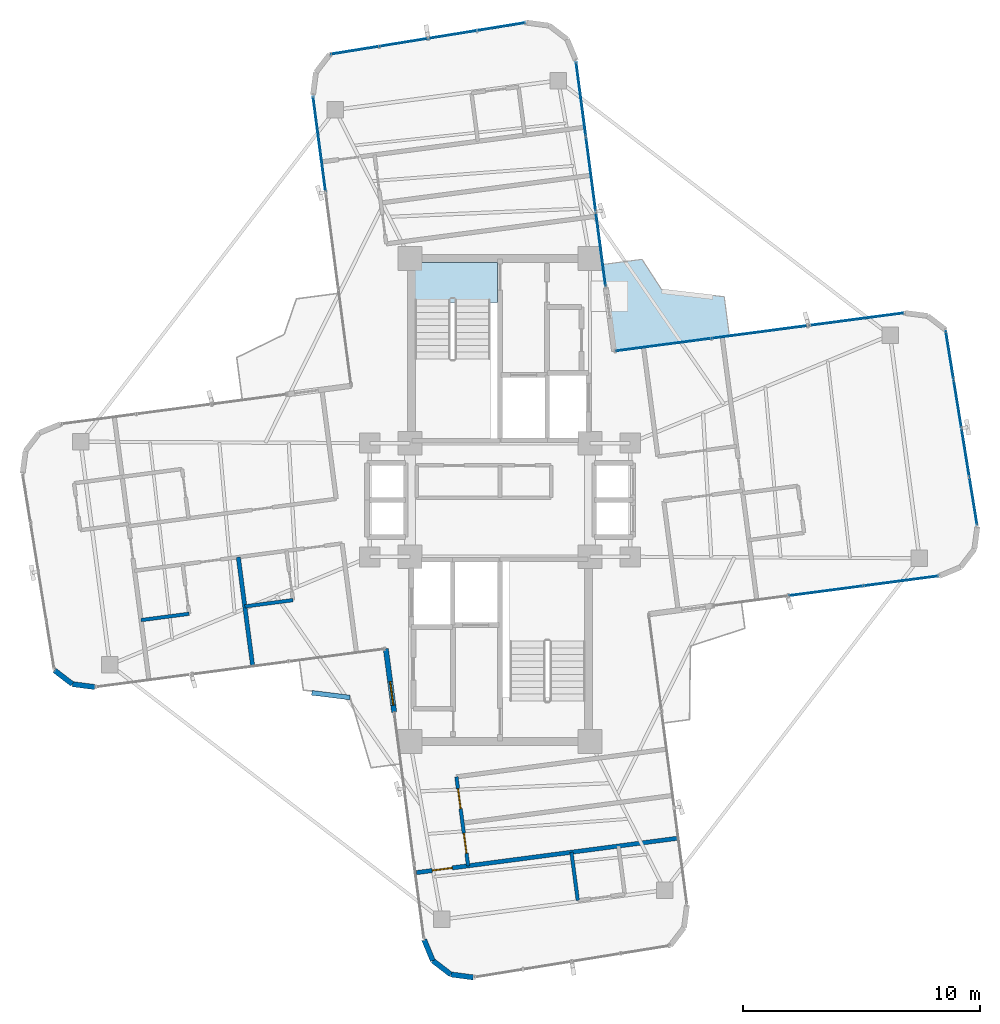
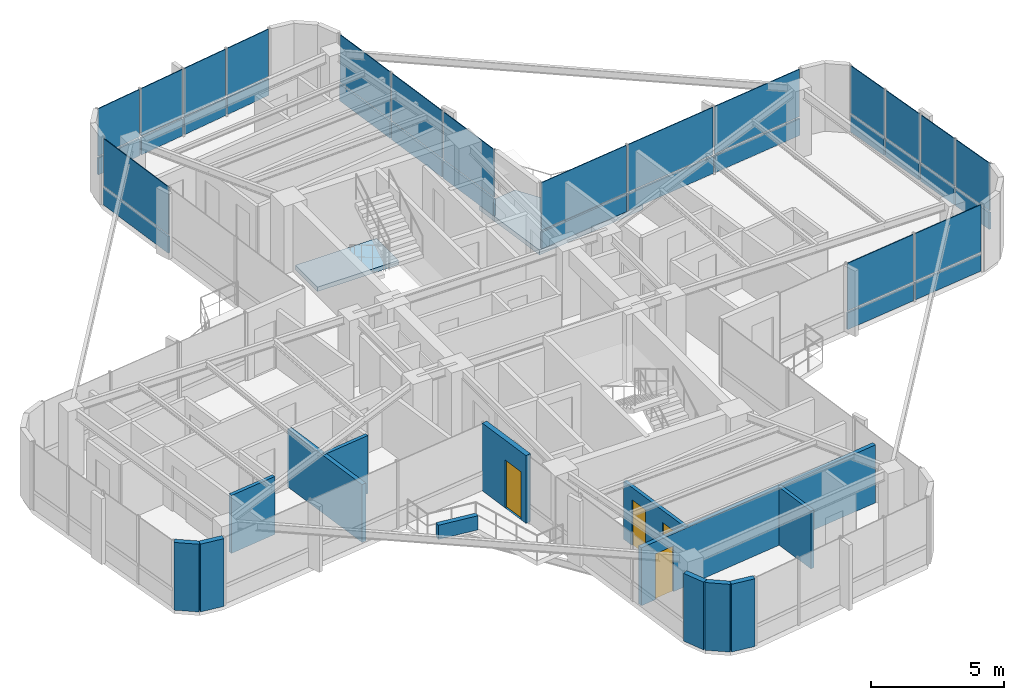
# One storey, part 18 of 22: 34 plates, 13 walls, 4 doors, 2 slabs, 4 openings, 6 elements without a shape of their own.
"""IFC4 building model written with IfcOpenShell, lengths in metres."""

from ifc_helpers import new_model, si_unit, direction, frame, frame_2d, origin, origin_2d, place, context, subcontext, project, spatial, polyline, rectangle, outline, extrude, source, transform, mapped, material, layer, layer_set, type_object, element, fill, aggregate, save


model = new_model("IFC4")

# Units and contexts
model_context = context("Model", 3, precision=1e-05, world=origin(), true_north=direction((0.0, 1.0)))
body_context = subcontext(model_context, "Body", "Model", "MODEL_VIEW")
ifc_project = project(units=[si_unit("LENGTHUNIT", "METRE"), si_unit("AREAUNIT", "SQUARE_METRE"), si_unit("VOLUMEUNIT", "CUBIC_METRE"), si_unit("PLANEANGLEUNIT", "RADIAN"), si_unit("MASSUNIT", "GRAM", prefix="KILO")], contexts=[model_context])

# Site, building, storey
site_placement = place(None, origin())
site = spatial("IfcSite", under=ifc_project, at=site_placement, CompositionType="ELEMENT")
building_placement = place(site_placement, origin())
building = spatial("IfcBuilding", under=site, at=building_placement, Name="Sahyath Konkavel Grand Hotel", CompositionType="ELEMENT")
storey_placement = place(building_placement, frame((0.0, 0.0, 257.89990234375)))
storey = spatial("IfcBuildingStorey", under=building, at=storey_placement, Name="L72", CompositionType="ELEMENT", Elevation=257.89990234375)

# Slabs
ifc_material_1 = material(Name="Concrete C40/50", Category="concrete")
ifc_layer_1 = layer(ifc_material_1, 0.219970703125)
ifc_layer_set_1 = layer_set([ifc_layer_1], Name="Concrete C40/50")
slab_type_1 = type_object("IfcSlabType", Name="SLB-BALCONY-220", PredefinedType="FLOOR", material=ifc_layer_set_1)
slab_1_placement = place(storey_placement, frame((0.0, 0.0, -0.219970703125)))
element("IfcSlab", 1, at=slab_1_placement, inside=storey, type_object=slab_type_1, Name="L72 Winter-Garden Balcony NE", PredefinedType="FLOOR", context=body_context, shape_type="SweptSolid", body=[
    extrude(outline(polyline([(4.821044921875, 6.282958984375), (9.687255859375, 6.923583984375), (9.46875, 8.581787109375), (6.821044921875, 8.889404296875), (5.99755859375, 10.161865234375), (4.339111328125, 9.943603515625), (4.821044921875, 6.282958984375)])), origin(), (0.0, 0.0, 1.0), 0.219970703125),
])
ifc_layer_2 = layer(ifc_material_1, 0.199951171875)
ifc_layer_set_2 = layer_set([ifc_layer_2], Name="Concrete C40/50")
slab_type_2 = type_object("IfcSlabType", Name="SLB-STAIR-LND", PredefinedType="LANDING", material=ifc_layer_set_2)
slab_2_placement = place(storey_placement, frame((0.0, 0.0, -0.199951171875)))
element("IfcSlab", 2, at=slab_2_placement, inside=storey, type_object=slab_type_2, Name="L72 Stair ST-1 Floor Landing Slab", PredefinedType="LANDING", context=body_context, shape_type="SweptSolid", body=[
    extrude(outline(polyline([(-3.6201171875, 8.35009765625), (-0.10009765625, 8.35009765625), (-0.10009765625, 10.02001953125), (-3.6201171875, 10.02001953125), (-3.6201171875, 8.35009765625)])), origin(), (0.0, 0.0, 1.0), 0.199951171875),
])

# Curtain wall, plates
ifc_material_2 = material(Name="Anodised Bronze Aluminium & Low-E Glazing", Category="aluminium")
curtain_wall_type = type_object("IfcCurtainWallType", Name="CW-ZONE4", PredefinedType="NOTDEFINED", material=ifc_material_2)
curtain_wall_1_placement = place(storey_placement, origin())
curtain_wall_1 = element("IfcCurtainWall", 3, at=curtain_wall_1_placement, inside=storey, type_object=curtain_wall_type, Name="L72 Unitised Curtain Wall F0", PredefinedType="NOTDEFINED")
ifc_material_3 = material(Name="Warm Buff Sandstone Cladding", Category="masonry")
ifc_layer_3 = layer(ifc_material_3, 0.074951171875)
ifc_layer_set_3 = layer_set([ifc_layer_3], Name="Warm Buff Sandstone Cladding")
plate_type_1 = type_object("IfcPlateType", Name="PNL-SPANDREL-STONE", PredefinedType="SHEET", material=ifc_layer_set_3)
shared_shape_1 = source(origin(), body_context, "Body", "SweptSolid", [
    extrude(rectangle(XDim=3.123291015625, YDim=0.074951171875, at=origin_2d()), origin(), (0.0, 0.0, 1.0), 0.77001953125),
])
plate_1_placement = place(storey_placement, frame((13.763427734375, -3.836181640625, 0.0400390625), z_axis=(0.0, 0.0, 1.0), x_axis=(0.991444861374, 0.13052619222, 0.0)))
plate_1 = element("IfcPlate", 4, at=plate_1_placement, type_object=plate_type_1, Name="L72 Sandstone Relief Spandrel Panel F0-1", PredefinedType="SHEET", context=body_context, shape_type="MappedRepresentation", body=[
    mapped(shared_shape_1, transform((0.0, 0.0, 0.0), scale=1.0)),
])
plate_2_placement = place(storey_placement, frame((16.939453125, -3.418212890625, 0.0400390625), z_axis=(0.0, 0.0, 1.0), x_axis=(0.991444861374, 0.13052619222, 0.0)))
plate_2 = element("IfcPlate", 5, at=plate_2_placement, type_object=plate_type_1, Name="L72 Sandstone Relief Spandrel Panel F0-2", PredefinedType="SHEET", context=body_context, shape_type="MappedRepresentation", body=[
    mapped(shared_shape_1, transform((0.0, 0.0, 0.0), scale=1.0)),
])

curtain_wall_2_placement = place(storey_placement, origin())
curtain_wall_2 = element("IfcCurtainWall", 6, at=curtain_wall_2_placement, inside=storey, type_object=curtain_wall_type, Name="L72 Unitised Curtain Wall F8", PredefinedType="NOTDEFINED")
plate_3_placement = place(storey_placement, frame((4.25439453125, 10.587646484375, 0.0400390625), z_axis=(0.0, 0.0, 1.0), x_axis=(-0.13052619222, 0.991444861374, 0.0)))
plate_3 = element("IfcPlate", 7, at=plate_3_placement, type_object=plate_type_1, Name="L72 Sandstone Relief Spandrel Panel F8-0", PredefinedType="SHEET", context=body_context, shape_type="MappedRepresentation", body=[
    mapped(shared_shape_1, transform((0.0, 0.0, 0.0), scale=1.0)),
])
plate_4_placement = place(storey_placement, frame((3.836181640625, 13.763427734375, 0.0400390625), z_axis=(0.0, 0.0, 1.0), x_axis=(-0.13052619222, 0.991444861374, 0.0)))
plate_4 = element("IfcPlate", 8, at=plate_4_placement, type_object=plate_type_1, Name="L72 Sandstone Relief Spandrel Panel F8-1", PredefinedType="SHEET", context=body_context, shape_type="MappedRepresentation", body=[
    mapped(shared_shape_1, transform((0.0, 0.0, 0.0), scale=1.0)),
])
plate_5_placement = place(storey_placement, frame((3.418212890625, 16.939453125, 0.0400390625), z_axis=(0.0, 0.0, 1.0), x_axis=(-0.13052619222, 0.991444861374, 0.0)))
plate_5 = element("IfcPlate", 9, at=plate_5_placement, type_object=plate_type_1, Name="L72 Sandstone Relief Spandrel Panel F8-2", PredefinedType="SHEET", context=body_context, shape_type="MappedRepresentation", body=[
    mapped(shared_shape_1, transform((0.0, 0.0, 0.0), scale=1.0)),
])

# Plate
ifc_material_4 = material(Name="Low-E Solar Control Double Glazing", Category="glass")
ifc_layer_4 = layer(ifc_material_4, 0.035888671875)
ifc_layer_set_4 = layer_set([ifc_layer_4], Name="Low-E Solar Control Double Glazing")
plate_type_2 = type_object("IfcPlateType", Name="PNL-VISION-LOWE", PredefinedType="CURTAIN_PANEL", material=ifc_layer_set_4)
shared_shape_2 = source(origin(), body_context, "Body", "SweptSolid", [
    extrude(rectangle(XDim=3.123291015625, YDim=0.035888671875, at=origin_2d()), origin(), (0.0, 0.0, 1.0), 2.179931640625),
])
plate_6_placement = place(storey_placement, frame((13.763427734375, -3.836181640625, 0.89013671875), z_axis=(0.0, 0.0, 1.0), x_axis=(0.991444861374, 0.13052619222, 0.0)))
plate_6 = element("IfcPlate", 10, at=plate_6_placement, type_object=plate_type_2, Name="L72 Low-E Vision Glazing Panel F0-1", PredefinedType="CURTAIN_PANEL", context=body_context, shape_type="MappedRepresentation", body=[
    mapped(shared_shape_2, transform((0.0, 0.0, 0.0), scale=1.0)),
])

plate_7_placement = place(storey_placement, frame((16.939453125, -3.418212890625, 0.89013671875), z_axis=(0.0, 0.0, 1.0), x_axis=(0.991444861374, 0.13052619222, 0.0)))
plate_7 = element("IfcPlate", 11, at=plate_7_placement, type_object=plate_type_2, Name="L72 Low-E Vision Glazing Panel F0-2", PredefinedType="CURTAIN_PANEL", context=body_context, shape_type="MappedRepresentation", body=[
    mapped(shared_shape_2, transform((0.0, 0.0, 0.0), scale=1.0)),
])

aggregate(curtain_wall_1, [plate_1, plate_6, plate_2, plate_7])

plate_8_placement = place(storey_placement, frame((4.25439453125, 10.587646484375, 0.89013671875), z_axis=(0.0, 0.0, 1.0), x_axis=(-0.13052619222, 0.991444861374, 0.0)))
plate_8 = element("IfcPlate", 12, at=plate_8_placement, type_object=plate_type_2, Name="L72 Low-E Vision Glazing Panel F8-0", PredefinedType="CURTAIN_PANEL", context=body_context, shape_type="MappedRepresentation", body=[
    mapped(shared_shape_2, transform((0.0, 0.0, 0.0), scale=1.0)),
])

plate_9_placement = place(storey_placement, frame((3.836181640625, 13.763427734375, 0.89013671875), z_axis=(0.0, 0.0, 1.0), x_axis=(-0.13052619222, 0.991444861374, 0.0)))
plate_9 = element("IfcPlate", 13, at=plate_9_placement, type_object=plate_type_2, Name="L72 Low-E Vision Glazing Panel F8-1", PredefinedType="CURTAIN_PANEL", context=body_context, shape_type="MappedRepresentation", body=[
    mapped(shared_shape_2, transform((0.0, 0.0, 0.0), scale=1.0)),
])

plate_10_placement = place(storey_placement, frame((3.418212890625, 16.939453125, 0.89013671875), z_axis=(0.0, 0.0, 1.0), x_axis=(-0.13052619222, 0.991444861374, 0.0)))
plate_10 = element("IfcPlate", 14, at=plate_10_placement, type_object=plate_type_2, Name="L72 Low-E Vision Glazing Panel F8-2", PredefinedType="CURTAIN_PANEL", context=body_context, shape_type="MappedRepresentation", body=[
    mapped(shared_shape_2, transform((0.0, 0.0, 0.0), scale=1.0)),
])

aggregate(curtain_wall_2, [plate_3, plate_8, plate_4, plate_9, plate_5, plate_10])

# Curtain wall, plates
curtain_wall_3_placement = place(storey_placement, origin())
curtain_wall_3 = element("IfcCurtainWall", 15, at=curtain_wall_3_placement, inside=storey, type_object=curtain_wall_type, Name="L72 Unitised Curtain Wall F4", PredefinedType="NOTDEFINED")
shared_shape_3 = source(origin(), body_context, "Body", "SweptSolid", [
    extrude(rectangle(XDim=2.007080078125, YDim=0.074951171875, at=origin_2d()), origin(), (0.0, 0.0, 1.0), 0.77001953125),
])
plate_11_placement = place(storey_placement, frame((19.98681640625, -0.05859375, 0.0400390625), z_axis=(0.0, 0.0, 1.0), x_axis=(-0.159622750546, 0.987178088041, 0.0)))
plate_11 = element("IfcPlate", 16, at=plate_11_placement, type_object=plate_type_1, Name="L72 Sandstone Relief Spandrel Panel F4-0", PredefinedType="SHEET", context=body_context, shape_type="MappedRepresentation", body=[
    mapped(shared_shape_3, transform((0.0, 0.0, 0.0), scale=1.0)),
])
plate_12_placement = place(storey_placement, frame((19.653564453125, 2.001708984375, 0.0400390625), z_axis=(0.0, 0.0, 1.0), x_axis=(-0.159622750546, 0.987178088041, 0.0)))
plate_12 = element("IfcPlate", 17, at=plate_12_placement, type_object=plate_type_1, Name="L72 Sandstone Relief Spandrel Panel F4-1", PredefinedType="SHEET", context=body_context, shape_type="MappedRepresentation", body=[
    mapped(shared_shape_3, transform((0.0, 0.0, 0.0), scale=1.0)),
])
plate_13_placement = place(storey_placement, frame((19.3203125, 4.062255859375, 0.0400390625), z_axis=(0.0, 0.0, 1.0), x_axis=(-0.159622750546, 0.987178088041, 0.0)))
plate_13 = element("IfcPlate", 18, at=plate_13_placement, type_object=plate_type_1, Name="L72 Sandstone Relief Spandrel Panel F4-2", PredefinedType="SHEET", context=body_context, shape_type="MappedRepresentation", body=[
    mapped(shared_shape_3, transform((0.0, 0.0, 0.0), scale=1.0)),
])
plate_14_placement = place(storey_placement, frame((18.9873046875, 6.12255859375, 0.0400390625), z_axis=(0.0, 0.0, 1.0), x_axis=(-0.159622750546, 0.987178088041, 0.0)))
plate_14 = element("IfcPlate", 19, at=plate_14_placement, type_object=plate_type_1, Name="L72 Sandstone Relief Spandrel Panel F4-3", PredefinedType="SHEET", context=body_context, shape_type="MappedRepresentation", body=[
    mapped(shared_shape_3, transform((0.0, 0.0, 0.0), scale=1.0)),
])

curtain_wall_4_placement = place(storey_placement, origin())
curtain_wall_4 = element("IfcCurtainWall", 20, at=curtain_wall_4_placement, inside=storey, type_object=curtain_wall_type, Name="L72 Unitised Curtain Wall F12", PredefinedType="NOTDEFINED")
plate_15_placement = place(storey_placement, frame((0.05859375, 19.98681640625, 0.0400390625), z_axis=(0.0, 0.0, 1.0), x_axis=(-0.987178088041, -0.159622750546, 0.0)))
plate_15 = element("IfcPlate", 21, at=plate_15_placement, type_object=plate_type_1, Name="L72 Sandstone Relief Spandrel Panel F12-0", PredefinedType="SHEET", context=body_context, shape_type="MappedRepresentation", body=[
    mapped(shared_shape_3, transform((0.0, 0.0, 0.0), scale=1.0)),
])
plate_16_placement = place(storey_placement, frame((-2.001708984375, 19.653564453125, 0.0400390625), z_axis=(0.0, 0.0, 1.0), x_axis=(-0.987178088041, -0.159622750546, 0.0)))
plate_16 = element("IfcPlate", 22, at=plate_16_placement, type_object=plate_type_1, Name="L72 Sandstone Relief Spandrel Panel F12-1", PredefinedType="SHEET", context=body_context, shape_type="MappedRepresentation", body=[
    mapped(shared_shape_3, transform((0.0, 0.0, 0.0), scale=1.0)),
])
plate_17_placement = place(storey_placement, frame((-4.062255859375, 19.3203125, 0.0400390625), z_axis=(0.0, 0.0, 1.0), x_axis=(-0.987178088041, -0.159622750546, 0.0)))
plate_17 = element("IfcPlate", 23, at=plate_17_placement, type_object=plate_type_1, Name="L72 Sandstone Relief Spandrel Panel F12-2", PredefinedType="SHEET", context=body_context, shape_type="MappedRepresentation", body=[
    mapped(shared_shape_3, transform((0.0, 0.0, 0.0), scale=1.0)),
])
plate_18_placement = place(storey_placement, frame((-6.12255859375, 18.9873046875, 0.0400390625), z_axis=(0.0, 0.0, 1.0), x_axis=(-0.987178088041, -0.159622750546, 0.0)))
plate_18 = element("IfcPlate", 24, at=plate_18_placement, type_object=plate_type_1, Name="L72 Sandstone Relief Spandrel Panel F12-3", PredefinedType="SHEET", context=body_context, shape_type="MappedRepresentation", body=[
    mapped(shared_shape_3, transform((0.0, 0.0, 0.0), scale=1.0)),
])

# Plate
shared_shape_4 = source(origin(), body_context, "Body", "SweptSolid", [
    extrude(rectangle(XDim=2.007080078125, YDim=0.035888671875, at=origin_2d()), origin(), (0.0, 0.0, 1.0), 2.179931640625),
])
plate_19_placement = place(storey_placement, frame((19.98681640625, -0.05859375, 0.89013671875), z_axis=(0.0, 0.0, 1.0), x_axis=(-0.159622750546, 0.987178088041, 0.0)))
plate_19 = element("IfcPlate", 25, at=plate_19_placement, type_object=plate_type_2, Name="L72 Low-E Vision Glazing Panel F4-0", PredefinedType="CURTAIN_PANEL", context=body_context, shape_type="MappedRepresentation", body=[
    mapped(shared_shape_4, transform((0.0, 0.0, 0.0), scale=1.0)),
])

plate_20_placement = place(storey_placement, frame((19.653564453125, 2.001708984375, 0.89013671875), z_axis=(0.0, 0.0, 1.0), x_axis=(-0.159622750546, 0.987178088041, 0.0)))
plate_20 = element("IfcPlate", 26, at=plate_20_placement, type_object=plate_type_2, Name="L72 Low-E Vision Glazing Panel F4-1", PredefinedType="CURTAIN_PANEL", context=body_context, shape_type="MappedRepresentation", body=[
    mapped(shared_shape_4, transform((0.0, 0.0, 0.0), scale=1.0)),
])

plate_21_placement = place(storey_placement, frame((19.3203125, 4.062255859375, 0.89013671875), z_axis=(0.0, 0.0, 1.0), x_axis=(-0.159622750546, 0.987178088041, 0.0)))
plate_21 = element("IfcPlate", 27, at=plate_21_placement, type_object=plate_type_2, Name="L72 Low-E Vision Glazing Panel F4-2", PredefinedType="CURTAIN_PANEL", context=body_context, shape_type="MappedRepresentation", body=[
    mapped(shared_shape_4, transform((0.0, 0.0, 0.0), scale=1.0)),
])

plate_22_placement = place(storey_placement, frame((18.9873046875, 6.12255859375, 0.89013671875), z_axis=(0.0, 0.0, 1.0), x_axis=(-0.159622750546, 0.987178088041, 0.0)))
plate_22 = element("IfcPlate", 28, at=plate_22_placement, type_object=plate_type_2, Name="L72 Low-E Vision Glazing Panel F4-3", PredefinedType="CURTAIN_PANEL", context=body_context, shape_type="MappedRepresentation", body=[
    mapped(shared_shape_4, transform((0.0, 0.0, 0.0), scale=1.0)),
])

aggregate(curtain_wall_3, [plate_11, plate_19, plate_12, plate_20, plate_13, plate_21, plate_14, plate_22])

plate_23_placement = place(storey_placement, frame((0.05859375, 19.98681640625, 0.89013671875), z_axis=(0.0, 0.0, 1.0), x_axis=(-0.987178088041, -0.159622750546, 0.0)))
plate_23 = element("IfcPlate", 29, at=plate_23_placement, type_object=plate_type_2, Name="L72 Low-E Vision Glazing Panel F12-0", PredefinedType="CURTAIN_PANEL", context=body_context, shape_type="MappedRepresentation", body=[
    mapped(shared_shape_4, transform((0.0, 0.0, 0.0), scale=1.0)),
])

plate_24_placement = place(storey_placement, frame((-2.001708984375, 19.653564453125, 0.89013671875), z_axis=(0.0, 0.0, 1.0), x_axis=(-0.987178088041, -0.159622750546, 0.0)))
plate_24 = element("IfcPlate", 30, at=plate_24_placement, type_object=plate_type_2, Name="L72 Low-E Vision Glazing Panel F12-1", PredefinedType="CURTAIN_PANEL", context=body_context, shape_type="MappedRepresentation", body=[
    mapped(shared_shape_4, transform((0.0, 0.0, 0.0), scale=1.0)),
])

plate_25_placement = place(storey_placement, frame((-4.062255859375, 19.3203125, 0.89013671875), z_axis=(0.0, 0.0, 1.0), x_axis=(-0.987178088041, -0.159622750546, 0.0)))
plate_25 = element("IfcPlate", 31, at=plate_25_placement, type_object=plate_type_2, Name="L72 Low-E Vision Glazing Panel F12-2", PredefinedType="CURTAIN_PANEL", context=body_context, shape_type="MappedRepresentation", body=[
    mapped(shared_shape_4, transform((0.0, 0.0, 0.0), scale=1.0)),
])

plate_26_placement = place(storey_placement, frame((-6.12255859375, 18.9873046875, 0.89013671875), z_axis=(0.0, 0.0, 1.0), x_axis=(-0.987178088041, -0.159622750546, 0.0)))
plate_26 = element("IfcPlate", 32, at=plate_26_placement, type_object=plate_type_2, Name="L72 Low-E Vision Glazing Panel F12-3", PredefinedType="CURTAIN_PANEL", context=body_context, shape_type="MappedRepresentation", body=[
    mapped(shared_shape_4, transform((0.0, 0.0, 0.0), scale=1.0)),
])

aggregate(curtain_wall_4, [plate_15, plate_23, plate_16, plate_24, plate_17, plate_25, plate_18, plate_26])

# Curtain wall, plates
curtain_wall_5_placement = place(storey_placement, origin())
curtain_wall_5 = element("IfcCurtainWall", 33, at=curtain_wall_5_placement, inside=storey, type_object=curtain_wall_type, Name="L72 Unitised Curtain Wall F7", PredefinedType="NOTDEFINED")
shared_shape_5 = source(origin(), body_context, "Body", "SweptSolid", [
    extrude(rectangle(XDim=4.023193359375, YDim=0.074951171875, at=origin_2d()), origin(), (0.0, 0.0, 1.0), 0.77001953125),
])
plate_27_placement = place(storey_placement, frame((15.03125, 7.627197265625, 0.0400390625), z_axis=(0.0, 0.0, 1.0), x_axis=(-0.991444861374, -0.13052619222, 0.0)))
plate_27 = element("IfcPlate", 34, at=plate_27_placement, type_object=plate_type_1, Name="L72 Sandstone Relief Spandrel Panel F7-0", PredefinedType="SHEET", context=body_context, shape_type="MappedRepresentation", body=[
    mapped(shared_shape_5, transform((0.0, 0.0, 0.0), scale=1.0)),
])
plate_28_placement = place(storey_placement, frame((10.963134765625, 7.091552734375, 0.0400390625), z_axis=(0.0, 0.0, 1.0), x_axis=(-0.991444861374, -0.13052619222, 0.0)))
plate_28 = element("IfcPlate", 35, at=plate_28_placement, type_object=plate_type_1, Name="L72 Sandstone Relief Spandrel Panel F7-1", PredefinedType="SHEET", context=body_context, shape_type="MappedRepresentation", body=[
    mapped(shared_shape_5, transform((0.0, 0.0, 0.0), scale=1.0)),
])
plate_29_placement = place(storey_placement, frame((6.89501953125, 6.555908203125, 0.0400390625), z_axis=(0.0, 0.0, 1.0), x_axis=(-0.991444861374, -0.13052619222, 0.0)))
plate_29 = element("IfcPlate", 36, at=plate_29_placement, type_object=plate_type_1, Name="L72 Sandstone Relief Spandrel Panel F7-2", PredefinedType="SHEET", context=body_context, shape_type="MappedRepresentation", body=[
    mapped(shared_shape_5, transform((0.0, 0.0, 0.0), scale=1.0)),
])

# Curtain wall, plate
curtain_wall_6_placement = place(storey_placement, origin())
curtain_wall_6 = element("IfcCurtainWall", 37, at=curtain_wall_6_placement, inside=storey, type_object=curtain_wall_type, Name="L72 Unitised Curtain Wall F15", PredefinedType="NOTDEFINED")
plate_30_placement = place(storey_placement, frame((-7.627197265625, 15.03125, 0.0400390625), z_axis=(0.0, 0.0, 1.0), x_axis=(0.13052619222, -0.991444861374, 0.0)))
plate_30 = element("IfcPlate", 38, at=plate_30_placement, type_object=plate_type_1, Name="L72 Sandstone Relief Spandrel Panel F15-0", PredefinedType="SHEET", context=body_context, shape_type="MappedRepresentation", body=[
    mapped(shared_shape_5, transform((0.0, 0.0, 0.0), scale=1.0)),
])

# Plate
shared_shape_6 = source(origin(), body_context, "Body", "SweptSolid", [
    extrude(rectangle(XDim=4.023193359375, YDim=0.035888671875, at=origin_2d()), origin(), (0.0, 0.0, 1.0), 2.179931640625),
])
plate_31_placement = place(storey_placement, frame((15.03125, 7.627197265625, 0.89013671875), z_axis=(0.0, 0.0, 1.0), x_axis=(-0.991444861374, -0.13052619222, 0.0)))
plate_31 = element("IfcPlate", 39, at=plate_31_placement, type_object=plate_type_2, Name="L72 Low-E Vision Glazing Panel F7-0", PredefinedType="CURTAIN_PANEL", context=body_context, shape_type="MappedRepresentation", body=[
    mapped(shared_shape_6, transform((0.0, 0.0, 0.0), scale=1.0)),
])

plate_32_placement = place(storey_placement, frame((10.963134765625, 7.091552734375, 0.89013671875), z_axis=(0.0, 0.0, 1.0), x_axis=(-0.991444861374, -0.13052619222, 0.0)))
plate_32 = element("IfcPlate", 40, at=plate_32_placement, type_object=plate_type_2, Name="L72 Low-E Vision Glazing Panel F7-1", PredefinedType="CURTAIN_PANEL", context=body_context, shape_type="MappedRepresentation", body=[
    mapped(shared_shape_6, transform((0.0, 0.0, 0.0), scale=1.0)),
])

plate_33_placement = place(storey_placement, frame((6.89501953125, 6.555908203125, 0.89013671875), z_axis=(0.0, 0.0, 1.0), x_axis=(-0.991444861374, -0.13052619222, 0.0)))
plate_33 = element("IfcPlate", 41, at=plate_33_placement, type_object=plate_type_2, Name="L72 Low-E Vision Glazing Panel F7-2", PredefinedType="CURTAIN_PANEL", context=body_context, shape_type="MappedRepresentation", body=[
    mapped(shared_shape_6, transform((0.0, 0.0, 0.0), scale=1.0)),
])

aggregate(curtain_wall_5, [plate_27, plate_31, plate_28, plate_32, plate_29, plate_33])

plate_34_placement = place(storey_placement, frame((-7.627197265625, 15.03125, 0.89013671875), z_axis=(0.0, 0.0, 1.0), x_axis=(0.13052619222, -0.991444861374, 0.0)))
plate_34 = element("IfcPlate", 42, at=plate_34_placement, type_object=plate_type_2, Name="L72 Low-E Vision Glazing Panel F15-0", PredefinedType="CURTAIN_PANEL", context=body_context, shape_type="MappedRepresentation", body=[
    mapped(shared_shape_6, transform((0.0, 0.0, 0.0), scale=1.0)),
])

aggregate(curtain_wall_6, [plate_30, plate_34])

# Walls
ifc_material_5 = material(Name="Warm Buff Sandstone Insulated Concrete C40/50", Category="masonry")
ifc_layer_5 = layer(ifc_material_5, 0.219970703125)
ifc_layer_set_5 = layer_set([ifc_layer_5], Name="Warm Buff Sandstone Insulated Concrete C40/50")
wall_type_1 = type_object("IfcWallType", Name="WLL-BALC-THRESH", PredefinedType="STANDARD", material=ifc_layer_set_5)
wall_1_placement = place(storey_placement, frame((-18.814208984375, -7.1923828125, 0.0), z_axis=(0.0, 0.0, 1.0), x_axis=(0.793249178392, -0.608897151398, 0.0)))
element("IfcWall", 43, at=wall_1_placement, inside=storey, type_object=wall_type_1, Name="L72 Rounded Corner Sandstone Pier 21", PredefinedType="STANDARD", context=body_context, shape_type="SweptSolid", body=[
    extrude(rectangle(XDim=0.95751953125, YDim=0.219970703125, at=frame_2d((0.478759765625, 0.0))), origin(), (0.0, 0.0, 1.0), 3.110107421875),
])
wall_2_placement = place(storey_placement, frame((-18.0546875, -7.775390625, 0.0), z_axis=(0.0, 0.0, 1.0), x_axis=(0.991449089759, -0.130494070426, 0.0)))
element("IfcWall", 44, at=wall_2_placement, inside=storey, type_object=wall_type_1, Name="L72 Rounded Corner Sandstone Pier 22", PredefinedType="STANDARD", context=body_context, shape_type="SweptSolid", body=[
    extrude(rectangle(XDim=0.9580078125, YDim=0.219970703125, at=frame_2d((0.47900390625, 0.0))), origin(), (0.0, 0.0, 1.0), 3.110107421875),
])

# Wall, opening, door
wall_3_placement = place(storey_placement, frame((-4.821044921875, -6.282958984375, 0.0), z_axis=(0.0, 0.0, 1.0), x_axis=(0.130475563272, -0.991451525486, 0.0)))
wall_3 = element("IfcWall", 45, at=wall_3_placement, inside=storey, type_object=wall_type_1, Name="L72 Winter-Garden Threshold Wall 24", PredefinedType="STANDARD", context=body_context, shape_type="SweptSolid", body=[
    extrude(rectangle(XDim=2.7001953125, YDim=0.219970703125, at=frame_2d((1.35009765625, 0.0))), origin(), (0.0, 0.0, 1.0), 3.110107421875),
])
opening_1_placement = place(wall_3_placement, frame((1.39990234375, 0.0, 0.0)))
opening_1 = element("IfcOpeningElement", 46, at=opening_1_placement, cuts=wall_3, Name="Opening D-TR1", PredefinedType="OPENING", context=body_context, shape_type="SweptSolid", body=[
    extrude(rectangle(XDim=1.0, YDim=2.199951171875, at=frame_2d((0.5, 1.10009765625))), frame((0.0, 0.1201171875, 0.0), z_axis=(0.0, -1.0, 0.0), x_axis=(1.0, 0.0, 0.0)), (0.0, 0.0, 1.0), 0.239990234375),
])
door_type_1 = type_object("IfcDoorType", Name="DR-TERRACE-1000", OperationType="NOTDEFINED", PredefinedType="DOOR", material=ifc_material_2)
shared_shape_7 = source(origin(), body_context, "Body", "SweptSolid", [
    extrude(rectangle(XDim=1.0, YDim=0.050048828125, at=origin_2d()), origin(), (0.0, 0.0, 1.0), 2.199951171875),
])
door_1_placement = place(opening_1_placement, frame((0.5, 0.0, 0.0)))
door_1 = element("IfcDoor", 47, at=door_1_placement, inside=storey, type_object=door_type_1, Name="L72 Winter-Garden Terrace Door 24", OperationType="SINGLE_SWING_LEFT", OverallHeight=2.199951171875, OverallWidth=1.0, PredefinedType="DOOR", context=body_context, shape_type="MappedRepresentation", body=[
    mapped(shared_shape_7, transform((0.0, 0.0, 0.0), scale=1.0)),
])
fill(opening_1, door_1)

# Walls
wall_4_placement = place(storey_placement, frame((-3.203857421875, -18.56689453125, 0.0), z_axis=(0.0, 0.0, 1.0), x_axis=(0.382569397359, -0.923926759112, 0.0)))
element("IfcWall", 48, at=wall_4_placement, inside=storey, type_object=wall_type_1, Name="L72 Rounded Corner Sandstone Pier 25", PredefinedType="STANDARD", context=body_context, shape_type="SweptSolid", body=[
    extrude(rectangle(XDim=0.957763671875, YDim=0.219970703125, at=frame_2d((0.47900390625, 0.0))), origin(), (0.0, 0.0, 1.0), 3.110107421875),
])
for number, where, z_axis, x_axis, name in (
    (49, (-2.83740234375, -19.451904296875, 0.0), (0.0, 0.0, 1.0), (0.793466811674, -0.60861352168, 0.0), "L72 Rounded Corner Sandstone Pier 26"),
    (50, (-2.07763671875, -20.03466796875, 0.0), (0.0, 0.0, 1.0), (0.991440402921, -0.13056005306, 0.0), "L72 Rounded Corner Sandstone Pier 27"),
):
    element("IfcWall", number, at=place(storey_placement, frame(where, z_axis=z_axis, x_axis=x_axis)), inside=storey, type_object=wall_type_1, Name=name, PredefinedType="STANDARD", context=body_context, shape_type="SweptSolid", body=[
        extrude(rectangle(XDim=0.95751953125, YDim=0.219970703125, at=frame_2d((0.478759765625, 0.0))), origin(), (0.0, 0.0, 1.0), 3.110107421875),
    ])
ifc_material_6 = material(Name="Twin-Stud Acoustic Gypsum Plasterboard Partition")
ifc_layer_6 = layer(ifc_material_6, 0.179931640625)
ifc_layer_set_6 = layer_set([ifc_layer_6], Name="Twin-Stud Acoustic Gypsum Plasterboard Partition")
wall_type_2 = type_object("IfcWallType", Name="WLL-DEMISE-180", PredefinedType="PARTITIONING", material=ifc_layer_set_6)
wall_5_placement = place(storey_placement, frame((-11.049560546875, -2.412841796875, 0.0), z_axis=(0.0, 0.0, 1.0), x_axis=(0.130512176195, -0.991446706518, 0.0)))
element("IfcWall", 51, at=wall_5_placement, inside=storey, type_object=wall_type_2, Name="L72 Partition W-W4L1-DEM", PredefinedType="PARTITIONING", context=body_context, shape_type="SweptSolid", body=[
    extrude(rectangle(XDim=4.599853515625, YDim=0.179931640625, at=frame_2d((2.2998046875, 0.0))), origin(), (0.0, 0.0, 1.0), 2.66015625),
])

# Wall, opening, door
wall_6_placement = place(storey_placement, frame((-3.5263671875, -15.73486328125, 0.0), z_axis=(0.0, 0.0, 1.0), x_axis=(0.991446283422, 0.130515390239, 0.0)))
wall_6 = element("IfcWall", 52, at=wall_6_placement, inside=storey, type_object=wall_type_2, Name="L72 Partition S-STIP-END", PredefinedType="PARTITIONING", context=body_context, shape_type="SweptSolid", body=[
    extrude(rectangle(XDim=11.10009765625, YDim=0.179931640625, at=frame_2d((5.550048828125, 0.0))), origin(), (0.0, 0.0, 1.0), 2.66015625),
])
opening_2_placement = place(wall_6_placement, frame((0.675048828125, 0.0, 0.0)))
opening_2 = element("IfcOpeningElement", 53, at=opening_2_placement, cuts=wall_6, Name="Opening D-F06D", PredefinedType="OPENING", context=body_context, shape_type="SweptSolid", body=[
    extrude(rectangle(XDim=0.85009765625, YDim=2.10009765625, at=frame_2d((0.425048828125, 1.050048828125))), frame((0.0, 0.10009765625, 0.0), z_axis=(0.0, -1.0, 0.0), x_axis=(1.0, 0.0, 0.0)), (0.0, 0.0, 1.0), 0.199951171875),
])
ifc_material_7 = material(Name="Fire-Rated Shaft Access Door")
door_type_2 = type_object("IfcDoorType", Name="DR-FD60-850", OperationType="NOTDEFINED", PredefinedType="DOOR", material=ifc_material_7)
shared_shape_8 = source(origin(), body_context, "Body", "SweptSolid", [
    extrude(rectangle(XDim=0.85009765625, YDim=0.050048828125, at=origin_2d()), origin(), (0.0, 0.0, 1.0), 2.10009765625),
])
door_2_placement = place(opening_2_placement, frame((0.425048828125, 0.0, 0.0)))
door_2 = element("IfcDoor", 54, at=door_2_placement, inside=storey, type_object=door_type_2, Name="L72 Door S-STIP-ED", OperationType="SINGLE_SWING_LEFT", OverallHeight=2.10009765625, OverallWidth=0.85009765625, PredefinedType="DOOR", context=body_context, shape_type="MappedRepresentation", body=[
    mapped(shared_shape_8, transform((0.0, 0.0, 0.0), scale=1.0)),
])
fill(opening_2, door_2)

# Walls
ifc_material_8 = material(Name="Fire-Rated Gypsum Plasterboard Partition")
ifc_layer_7 = layer(ifc_material_8, 0.14990234375)
ifc_layer_set_7 = layer_set([ifc_layer_7], Name="Fire-Rated Gypsum Plasterboard Partition")
wall_type_3 = type_object("IfcWallType", Name="WLL-PART-150", PredefinedType="PARTITIONING", material=ifc_layer_set_7)
for number, where, z_axis, x_axis, name in (
    (55, (-8.742919921875, -4.227294921875, 0.0), (0.0, 0.0, 1.0), (-0.991444969909, -0.13052536781, 0.0), "L72 Partition W-W4L1-BF"),
    (56, (-13.125244140625, -4.80419921875, 0.0), (0.0, 0.0, 1.0), (-0.991429551631, -0.130642428605, 0.0), "L72 Partition W-W4L2-BF"),
):
    element("IfcWall", number, at=place(storey_placement, frame(where, z_axis=z_axis, x_axis=x_axis)), inside=storey, type_object=wall_type_3, Name=name, PredefinedType="PARTITIONING", context=body_context, shape_type="SweptSolid", body=[
        extrude(rectangle(XDim=2.050048828125, YDim=0.14990234375, at=frame_2d((1.02490234375, 0.0))), origin(), (0.0, 0.0, 1.0), 2.66015625),
    ])

# Wall, openings, doors
wall_7_placement = place(storey_placement, frame((-1.83984375, -11.690185546875, 0.0), z_axis=(0.0, 0.0, 1.0), x_axis=(0.130509501701, -0.991447058579, 0.0)))
wall_7 = element("IfcWall", 57, at=wall_7_placement, inside=storey, type_object=wall_type_3, Name="L72 Partition S-G6W", PredefinedType="PARTITIONING", context=body_context, shape_type="SweptSolid", body=[
    extrude(rectangle(XDim=3.7900390625, YDim=0.14990234375, at=frame_2d((1.89501953125, 0.0))), origin(), (0.0, 0.0, 1.0), 2.66015625),
])
opening_3_placement = place(wall_7_placement, frame((0.510986328125, 0.0, 0.0)))
opening_3 = element("IfcOpeningElement", 58, at=opening_3_placement, cuts=wall_7, Name="Opening D-F06D", PredefinedType="OPENING", context=body_context, shape_type="SweptSolid", body=[
    extrude(rectangle(XDim=0.85009765625, YDim=2.10009765625, at=frame_2d((0.425048828125, 1.050048828125))), frame((0.0, 0.0849609375, 0.0), z_axis=(0.0, -1.0, 0.0), x_axis=(1.0, 0.0, 0.0)), (0.0, 0.0, 1.0), 0.169921875),
])
opening_4_placement = place(wall_7_placement, frame((2.405029296875, 0.0, 0.0)))
opening_4 = element("IfcOpeningElement", 59, at=opening_4_placement, cuts=wall_7, Name="Opening D-F06D", PredefinedType="OPENING", context=body_context, shape_type="SweptSolid", body=[
    extrude(rectangle(XDim=0.85009765625, YDim=2.10009765625, at=frame_2d((0.425048828125, 1.050048828125))), frame((0.0, 0.0849609375, 0.0), z_axis=(0.0, -1.0, 0.0), x_axis=(1.0, 0.0, 0.0)), (0.0, 0.0, 1.0), 0.169921875),
])
door_3_placement = place(opening_3_placement, frame((0.425048828125, 0.0, 0.0)))
door_3 = element("IfcDoor", 60, at=door_3_placement, inside=storey, type_object=door_type_2, Name="L72 Door S-SSL6-D", OperationType="SINGLE_SWING_RIGHT", OverallHeight=2.10009765625, OverallWidth=0.85009765625, PredefinedType="DOOR", context=body_context, shape_type="MappedRepresentation", body=[
    mapped(shared_shape_8, transform((0.0, 0.0, 0.0), scale=1.0)),
])
fill(opening_3, door_3)
door_4_placement = place(opening_4_placement, frame((0.425048828125, 0.0, 0.0)))
door_4 = element("IfcDoor", 61, at=door_4_placement, inside=storey, type_object=door_type_2, Name="L72 Door S-SD6-D", OperationType="SINGLE_SWING_LEFT", OverallHeight=2.10009765625, OverallWidth=0.85009765625, PredefinedType="DOOR", context=body_context, shape_type="MappedRepresentation", body=[
    mapped(shared_shape_8, transform((0.0, 0.0, 0.0), scale=1.0)),
])
fill(opening_4, door_4)

# Walls
wall_8_placement = place(storey_placement, frame((3.01708984375, -14.873291015625, 0.0), z_axis=(0.0, 0.0, 1.0), x_axis=(0.130627005462, -0.991431583844, 0.0)))
element("IfcWall", 62, at=wall_8_placement, inside=storey, type_object=wall_type_3, Name="L72 Partition S-STIP-BS", PredefinedType="PARTITIONING", context=body_context, shape_type="SweptSolid", body=[
    extrude(rectangle(XDim=2.05029296875, YDim=0.14990234375, at=frame_2d((1.025146484375, 0.0))), origin(), (0.0, 0.0, 1.0), 2.66015625),
])
ifc_material_9 = material(Name="Warm Buff Sandstone Planter Wall", Category="masonry")
ifc_layer_8 = layer(ifc_material_9, 0.199951171875)
ifc_layer_set_8 = layer_set([ifc_layer_8], Name="Warm Buff Sandstone Planter Wall")
wall_type_4 = type_object("IfcWallType", Name="WLL-PLANTER-200", PredefinedType="PARAPET", material=ifc_layer_set_8)
wall_9_placement = place(storey_placement, frame((-7.94580078125, -8.14208984375, 0.0), z_axis=(0.0, 0.0, 1.0), x_axis=(0.992395493703, -0.123090146148, 0.0)))
element("IfcWall", 63, at=wall_9_placement, inside=storey, type_object=wall_type_4, Name="L72 Sky-Garden Stone Planter PLANTER SW", PredefinedType="PARAPET", context=body_context, shape_type="SweptSolid", body=[
    extrude(rectangle(XDim=1.62255859375, YDim=0.199951171875, at=frame_2d((0.811279296875, 0.0))), origin(), (0.0, 0.0, 1.0), 0.650146484375),
])

save(model, "model.ifc")
